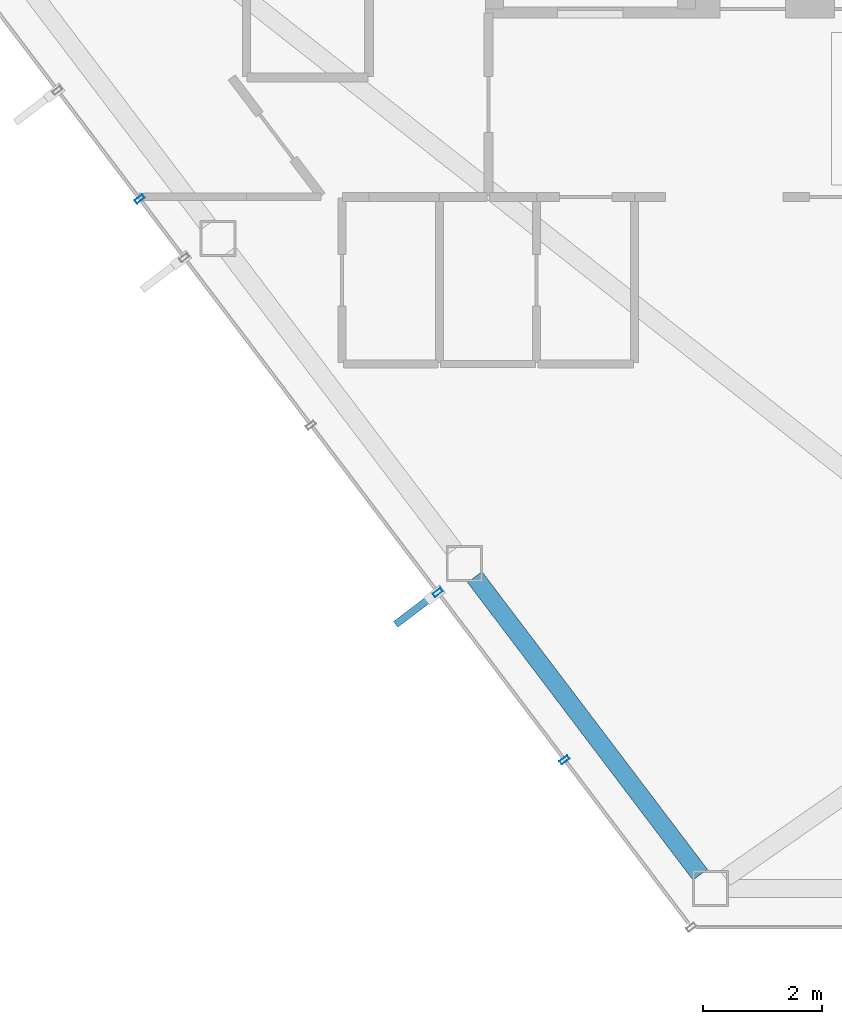
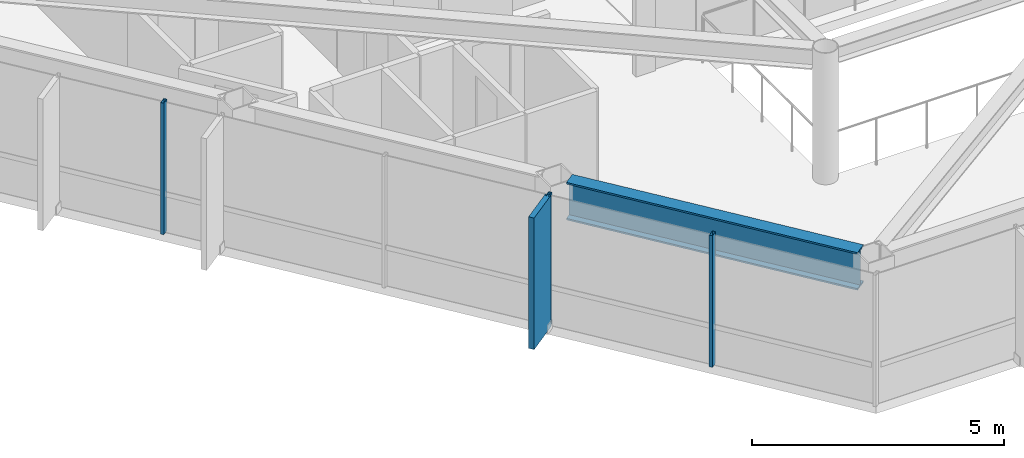
# One storey, part 2 of 25: 4 members, 1 beam, 1 element without a shape of its own.
"""IFC4 building model written with IfcOpenShell, lengths in metres."""

from ifc_helpers import new_model, si_unit, direction, frame, origin, origin_2d, place, context, subcontext, project, spatial, rectangle, hollow_rectangle, i_section, extrude, material, layer, layer_set, material_profile, profile_set, type_object, element, aggregate, save


model = new_model("IFC4")

# Units and contexts
model_context = context("Model", 3, precision=1e-05, world=origin(), true_north=direction((0.0, 1.0)))
body_context = subcontext(model_context, "Body", "Model", "MODEL_VIEW")
ifc_project = project(units=[si_unit("LENGTHUNIT", "METRE"), si_unit("AREAUNIT", "SQUARE_METRE"), si_unit("VOLUMEUNIT", "CUBIC_METRE"), si_unit("PLANEANGLEUNIT", "RADIAN"), si_unit("MASSUNIT", "GRAM", prefix="KILO")], contexts=[model_context])

# Site, building, storey
site_placement = place(None, origin())
site = spatial("IfcSite", under=ifc_project, at=site_placement, CompositionType="ELEMENT")
building_placement = place(site_placement, origin())
building = spatial("IfcBuilding", under=site, at=building_placement, Name="Zarrinselat Tower", CompositionType="ELEMENT")
storey_placement = place(building_placement, frame((0.0, 0.0, 212.159912109375)))
storey = spatial("IfcBuildingStorey", under=building, at=storey_placement, Name="L52", CompositionType="ELEMENT", Elevation=212.159912109375)

# Beam
ifc_material_1 = material(Name="Steel S460M", Category="steel")
ifc_material_profile_1 = material_profile(ifc_material_1, i_section(OverallWidth=0.302001953125, OverallDepth=0.909912109375, WebThickness=0.02099609375, FlangeThickness=0.0400390625, at=origin_2d()), Name="HEM 900")
ifc_profile_set_1 = profile_set([ifc_material_profile_1], Name="Steel S460M")
beam_type = type_object("IfcBeamType", Name="BM-HEM900", PredefinedType="BEAM", material=ifc_profile_set_1)
beam_placement = place(storey_placement, frame((28.32177734375, 23.777587890625, 2.72509765625), z_axis=(0.603844917099, -0.797101822914, 0.0), x_axis=(0.797101822914, 0.603844917099, 0.0)))
element("IfcBeam", 1, at=beam_placement, inside=storey, type_object=beam_type, Name="L52 Perimeter Spandrel Girder SP09", PredefinedType="BEAM", context=body_context, shape_type="SweptSolid", body=[
    extrude(i_section(OverallWidth=0.302001953125, OverallDepth=0.909912109375, WebThickness=0.02099609375, FlangeThickness=0.0400390625, at=origin_2d()), origin(), (0.0, 0.0, 1.0), 6.257080078125),
])

# Curtain wall, members
ifc_material_2 = material(Name="Extruded Aluminium Alloy EN AW-6063 T6", Category="aluminium")
ifc_layer = layer(ifc_material_2, 0.169921875)
ifc_layer_set = layer_set([ifc_layer], Name="Extruded Aluminium Alloy EN AW-6063 T6")
curtain_wall_type = type_object("IfcCurtainWallType", Name="CWS-RES", PredefinedType="NOTDEFINED", material=ifc_layer_set)
curtain_wall_placement = place(storey_placement, origin())
curtain_wall = element("IfcCurtainWall", 2, at=curtain_wall_placement, inside=storey, type_object=curtain_wall_type, Name="L52 Unitised Curtain Wall CW-L52-E03", PredefinedType="NOTDEFINED")
ifc_material_3 = material(Name="Extruded Aluminium Alloy EN AW-6063 T6", Category="aluminium")
ifc_material_profile_2 = material_profile(ifc_material_3, hollow_rectangle(XDim=0.070068359375, YDim=0.159912109375, WallThickness=0.00390625, at=origin_2d()), Name="RHS 160x70x4")
ifc_profile_set_2 = profile_set([ifc_material_profile_2], Name="Extruded Aluminium Alloy EN AW-6063 T6")
member_type_1 = type_object("IfcMemberType", Name="MEM-CW-MUL2", PredefinedType="MULLION", material=ifc_profile_set_2)
member_1_placement = place(storey_placement, frame((22.7060546875, 30.11376953125, 0.0), z_axis=(0.0, 0.0, 1.0), x_axis=(0.603858850791, -0.797091267247, 0.0)))
member_1 = element("IfcMember", 3, at=member_1_placement, type_object=member_type_1, Name="CW-L52-E03 Mullion 4", PredefinedType="MULLION", context=body_context, shape_type="SweptSolid", body=[
    extrude(hollow_rectangle(XDim=0.070068359375, YDim=0.159912109375, WallThickness=0.00390625, at=origin_2d()), origin(), (0.0, 0.0, 1.0), 3.18017578125),
])
member_2_placement = place(storey_placement, frame((27.70166015625, 23.51953125, 0.0), z_axis=(0.0, 0.0, 1.0), x_axis=(0.603858850791, -0.797091267247, 0.0)))
member_2 = element("IfcMember", 4, at=member_2_placement, type_object=member_type_1, Name="CW-L52-E03 Mullion 7", PredefinedType="MULLION", context=body_context, shape_type="SweptSolid", body=[
    extrude(hollow_rectangle(XDim=0.070068359375, YDim=0.159912109375, WallThickness=0.00390625, at=origin_2d()), origin(), (0.0, 0.0, 1.0), 3.18017578125),
])
member_3_placement = place(storey_placement, frame((29.826416015625, 20.715087890625, 0.0), z_axis=(0.0, 0.0, 1.0), x_axis=(0.603858850791, -0.797091267247, 0.0)))
member_3 = element("IfcMember", 5, at=member_3_placement, type_object=member_type_1, Name="CW-L52-E03 Mullion 8", PredefinedType="MULLION", context=body_context, shape_type="SweptSolid", body=[
    extrude(hollow_rectangle(XDim=0.070068359375, YDim=0.159912109375, WallThickness=0.00390625, at=origin_2d()), origin(), (0.0, 0.0, 1.0), 3.18017578125),
])
ifc_material_4 = material(Name="Honed Cream Travertine Stone", Category="masonry")
ifc_material_profile_3 = material_profile(ifc_material_4, rectangle(XDim=0.1201171875, YDim=0.85009765625, at=origin_2d()), Name="FIN 850x120")
ifc_profile_set_3 = profile_set([ifc_material_profile_3], Name="Honed Cream Travertine Stone")
member_type_2 = type_object("IfcMemberType", Name="MEM-STONE-FIN", PredefinedType="USERDEFINED", material=ifc_profile_set_3)
member_4_placement = place(storey_placement, frame((27.3349609375, 23.24169921875, 0.0), z_axis=(0.0, 0.0, 1.0), x_axis=(-0.603858850791, 0.797091267247, 0.0)))
member_4 = element("IfcMember", 6, at=member_4_placement, type_object=member_type_2, Name="L52 Stone Shading Fin CW-L52-E03-07", ObjectType="FIN", PredefinedType="USERDEFINED", context=body_context, shape_type="SweptSolid", body=[
    extrude(rectangle(XDim=0.1201171875, YDim=0.85009765625, at=origin_2d()), origin(), (0.0, 0.0, 1.0), 3.18017578125),
])
aggregate(curtain_wall, [member_1, member_2, member_4, member_3])

save(model, "model.ifc")
